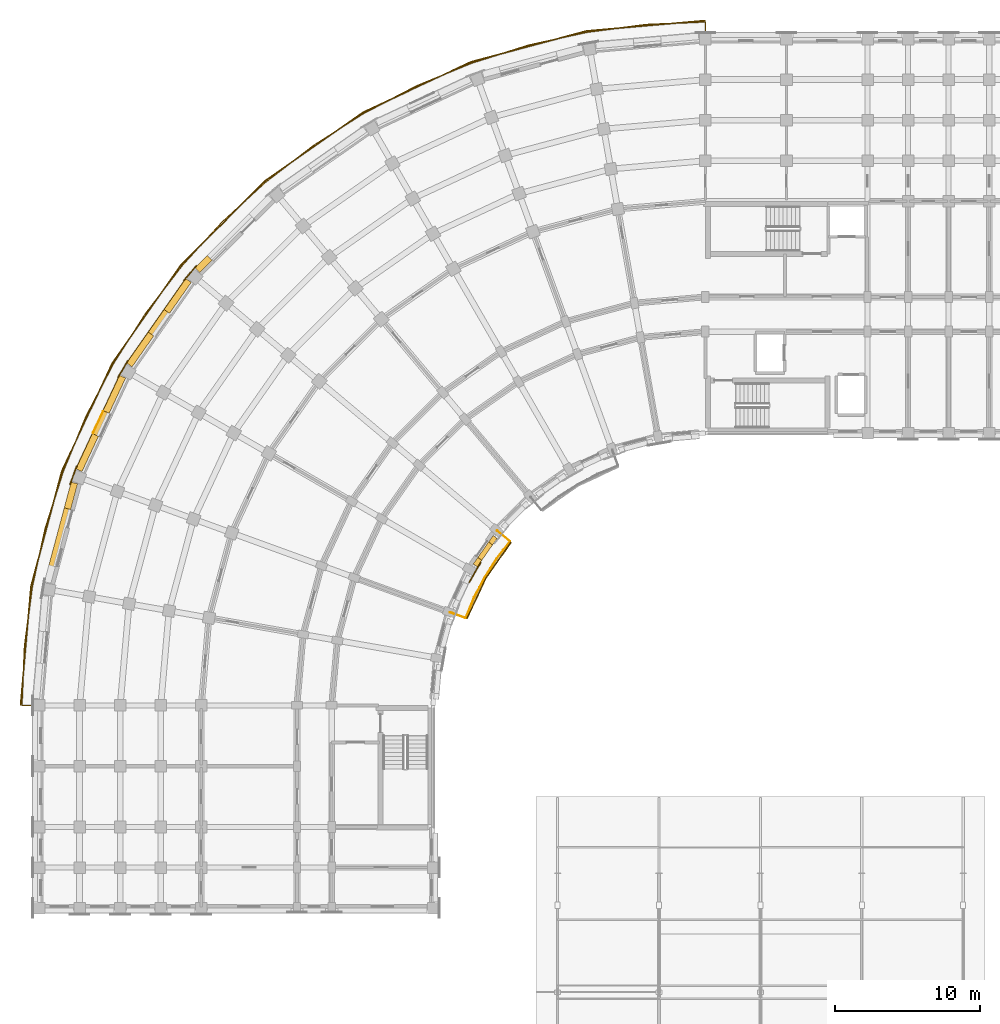
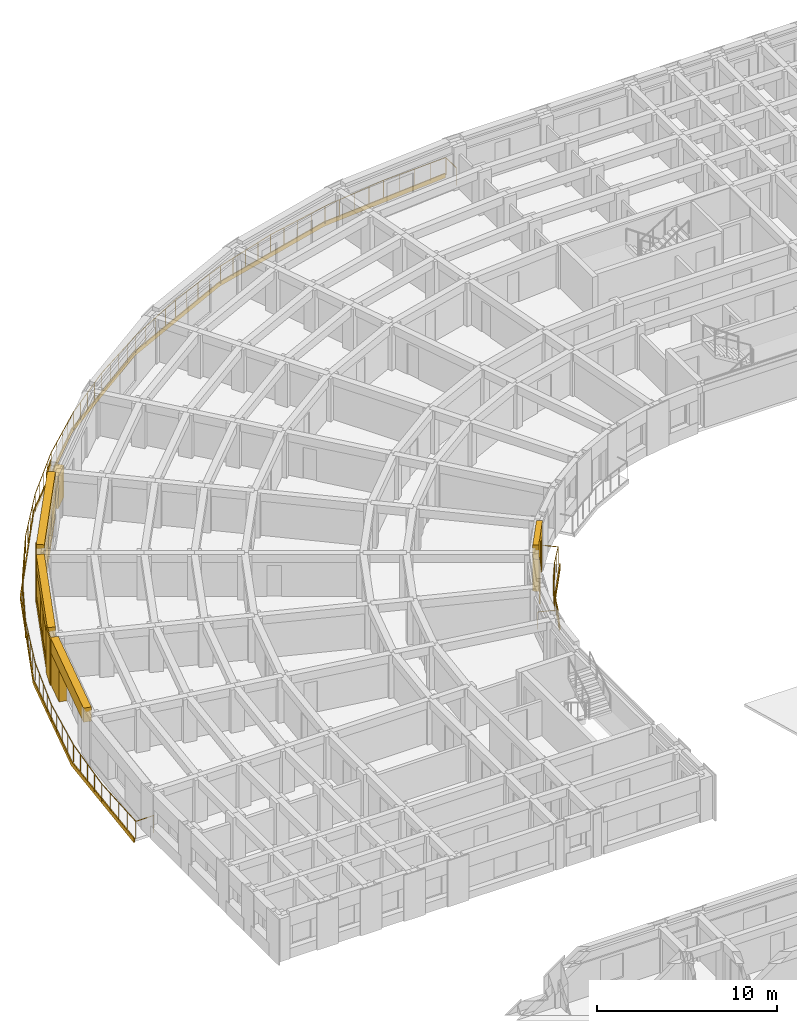
# One storey, part 66 of 76: 20 coverings, 2 railings, 1 shading device.
"""IFC4 building model written with IfcOpenShell, lengths in metres."""

from ifc_helpers import new_model, si_unit, direction, frame, origin, origin_2d, place, context, subcontext, project, spatial, polyline, rectangle, circle, outline, extrude, material, layer, layer_set, type_object, element, save


model = new_model("IFC4")

# Units and contexts
model_context = context("Model", 3, precision=1e-05, world=origin(), true_north=direction((0.0, 1.0)))
body_context = subcontext(model_context, "Body", "Model", "MODEL_VIEW")
ifc_project = project(units=[si_unit("LENGTHUNIT", "METRE"), si_unit("AREAUNIT", "SQUARE_METRE"), si_unit("VOLUMEUNIT", "CUBIC_METRE"), si_unit("PLANEANGLEUNIT", "RADIAN"), si_unit("MASSUNIT", "GRAM", prefix="KILO")], contexts=[model_context])

# Site, building, storey
site_placement = place(None, origin())
site = spatial("IfcSite", under=ifc_project, at=site_placement, CompositionType="ELEMENT")
building_placement = place(site_placement, origin())
building = spatial("IfcBuilding", under=site, at=building_placement, Name="Kiranvali Square Residences", CompositionType="ELEMENT")
storey_placement = place(building_placement, frame((0.0, 0.0, 8.699951171875)))
storey = spatial("IfcBuildingStorey", under=building, at=storey_placement, Name="L02", CompositionType="ELEMENT", Elevation=8.699951171875)

# Coverings
ifc_material_1 = material(Name="Carved Porbandar limestone classical entablature and cornice", Category="masonry")
ifc_layer_1 = layer(ifc_material_1, 0.072021484375)
ifc_layer_set_1 = layer_set([ifc_layer_1], Name="Carved Porbandar limestone classical entablature and cornice")
covering_type_1 = type_object("IfcCoveringType", Name="COV-CLAD-BAL", PredefinedType="CLADDING", material=ifc_layer_set_1)
covering_1_placement = place(storey_placement, frame((0.0, 0.0, -0.239990234375)))
element("IfcCovering", 1, at=covering_1_placement, inside=storey, type_object=covering_type_1, Name="Block A L02 continuous curved limestone balcony fascia", PredefinedType="CLADDING", context=body_context, shape_type="SweptSolid", body=[
    extrude(outline(polyline([(48.199951171875, 135.117919921875), (39.9833984375, 134.399169921875), (32.016357421875, 132.264404296875), (24.541015625, 128.778564453125), (17.78466796875, 124.047607421875), (11.952392578125, 118.21533203125), (7.221435546875, 111.458984375), (3.735595703125, 103.983642578125), (1.600830078125, 96.0166015625), (0.882080078125, 87.800048828125), (0.947998046875, 87.800048828125), (1.665771484375, 96.005126953125), (3.797607421875, 103.961181640625), (7.278564453125, 111.426025390625), (12.0029296875, 118.173095703125), (17.826904296875, 123.9970703125), (24.573974609375, 128.721435546875), (32.038818359375, 132.202392578125), (39.994873046875, 134.334228515625), (48.199951171875, 135.052001953125), (48.199951171875, 135.117919921875)])), origin(), (0.0, 0.0, 1.0), 0.300048828125),
])
ifc_layer_2 = layer(ifc_material_1, 0.06201171875)
ifc_layer_set_2 = layer_set([ifc_layer_2], Name="Carved Porbandar limestone classical entablature and cornice")
covering_type_2 = type_object("IfcCoveringType", Name="COV-CLAD-GBAL", PredefinedType="CLADDING", material=ifc_layer_set_2)
covering_2_placement = place(storey_placement, frame((0.0, 0.0, -0.219970703125)))
element("IfcCovering", 2, at=covering_2_placement, inside=storey, type_object=covering_type_2, Name="Block A L02 garden balcony limestone fascia 2", PredefinedType="CLADDING", context=body_context, shape_type="SweptSolid", body=[
    extrude(outline(polyline([(34.757568359375, 99.07958984375), (33.0029296875, 96.573974609375), (31.710205078125, 93.8017578125), (31.774169921875, 93.778564453125), (33.061767578125, 96.5400390625), (34.8095703125, 99.035888671875), (34.757568359375, 99.07958984375)])), origin(), (0.0, 0.0, 1.0), 0.27001953125),
])
ifc_material_2 = material(Name="Honed Porbandar limestone ashlar facade cladding", Category="masonry")
ifc_layer_3 = layer(ifc_material_2, 0.3798828125)
ifc_layer_set_3 = layer_set([ifc_layer_3], Name="Honed Porbandar limestone ashlar facade cladding")
covering_type_3 = type_object("IfcCoveringType", Name="COV-CLAD-JAMB", PredefinedType="CLADDING", material=ifc_layer_set_3)
covering_3_placement = place(storey_placement, origin())
element("IfcCovering", 3, at=covering_3_placement, inside=storey, type_object=covering_type_3, Name="L02 deep limestone window jamb reveal A-L02-CRV-04.R", PredefinedType="CLADDING", context=body_context, shape_type="SweptSolid", body=[
    extrude(outline(polyline([(13.803955078125, 118.86083984375), (12.954833984375, 118.01171875), (13.27978515625, 117.686767578125), (14.12890625, 118.535888671875), (13.803955078125, 118.86083984375)])), origin(), (0.0, 0.0, 1.0), 2.179931640625),
])
covering_4_placement = place(storey_placement, frame((0.0, 0.0, 0.6220703125)))
element("IfcCovering", 4, at=covering_4_placement, inside=storey, type_object=covering_type_3, Name="L02 deep limestone window jamb reveal A-L02-CRV-05.L", PredefinedType="CLADDING", context=body_context, shape_type="SweptSolid", body=[
    extrude(outline(polyline([(12.3271484375, 117.263427734375), (10.83056640625, 115.126220703125), (11.206787109375, 114.862548828125), (12.703369140625, 117.0), (12.3271484375, 117.263427734375)])), origin(), (0.0, 0.0, 1.0), 1.64990234375),
])
covering_5_placement = place(storey_placement, frame((0.0, 0.0, 0.6220703125)))
element("IfcCovering", 5, at=covering_5_placement, inside=storey, type_object=covering_type_3, Name="L02 deep limestone window jamb reveal A-L02-CRV-05.R", PredefinedType="CLADDING", context=body_context, shape_type="SweptSolid", body=[
    extrude(outline(polyline([(9.74072265625, 113.56982421875), (8.244140625, 111.432373046875), (8.62060546875, 111.1689453125), (10.1171875, 113.30615234375), (9.74072265625, 113.56982421875)])), origin(), (0.0, 0.0, 1.0), 1.64990234375),
])
covering_6_placement = place(storey_placement, frame((0.0, 0.0, 0.52197265625)))
element("IfcCovering", 6, at=covering_6_placement, inside=storey, type_object=covering_type_3, Name="L02 deep limestone window jamb reveal A-L02-CRV-06.L", PredefinedType="CLADDING", context=body_context, shape_type="SweptSolid", body=[
    extrude(outline(polyline([(7.755859375, 110.586669921875), (6.621337890625, 108.15380859375), (7.037841796875, 107.959716796875), (8.172119140625, 110.392333984375), (7.755859375, 110.586669921875)])), origin(), (0.0, 0.0, 1.0), 1.75),
])
covering_7_placement = place(storey_placement, frame((0.0, 0.0, 0.52197265625)))
element("IfcCovering", 7, at=covering_7_placement, inside=storey, type_object=covering_type_3, Name="L02 deep limestone window jamb reveal A-L02-CRV-06.R", PredefinedType="CLADDING", context=body_context, shape_type="SweptSolid", body=[
    extrude(outline(polyline([(5.8818359375, 106.56787109375), (4.747314453125, 104.13525390625), (5.163818359375, 103.94091796875), (6.29833984375, 106.373779296875), (5.8818359375, 106.56787109375)])), origin(), (0.0, 0.0, 1.0), 1.75),
])
covering_8_placement = place(storey_placement, origin())
element("IfcCovering", 8, at=covering_8_placement, inside=storey, type_object=covering_type_3, Name="L02 deep limestone window jamb reveal A-L02-CRV-07.L", PredefinedType="CLADDING", context=body_context, shape_type="SweptSolid", body=[
    extrude(outline(polyline([(4.413330078125, 103.21728515625), (3.936767578125, 101.438720703125), (4.380615234375, 101.31982421875), (4.857177734375, 103.098388671875), (4.413330078125, 103.21728515625)])), origin(), (0.0, 0.0, 1.0), 2.179931640625),
])
covering_9_placement = place(storey_placement, origin())
element("IfcCovering", 9, at=covering_9_placement, inside=storey, type_object=covering_type_3, Name="L02 deep limestone window jamb reveal A-L02-GDN-05.L", PredefinedType="CLADDING", context=body_context, shape_type="SweptSolid", body=[
    extrude(outline(polyline([(33.54638671875, 99.523681640625), (33.231689453125, 99.074462890625), (33.509765625, 98.879638671875), (33.824462890625, 99.328857421875), (33.54638671875, 99.523681640625)])), origin(), (0.0, 0.0, 1.0), 2.179931640625),
])
covering_10_placement = place(storey_placement, origin())
element("IfcCovering", 10, at=covering_10_placement, inside=storey, type_object=covering_type_3, Name="L02 deep limestone window jamb reveal A-L02-GDN-05.R", PredefinedType="CLADDING", context=body_context, shape_type="SweptSolid", body=[
    extrude(outline(polyline([(32.486083984375, 98.009521484375), (32.171630859375, 97.56005859375), (32.44970703125, 97.365478515625), (32.76416015625, 97.814697265625), (32.486083984375, 98.009521484375)])), origin(), (0.0, 0.0, 1.0), 2.179931640625),
])
ifc_layer_4 = layer(ifc_material_2, 0.06494140625)
ifc_layer_set_4 = layer_set([ifc_layer_4], Name="Honed Porbandar limestone ashlar facade cladding")
covering_type_4 = type_object("IfcCoveringType", Name="COV-CLAD-PIER", PredefinedType="CLADDING", material=ifc_layer_set_4)
covering_11_placement = place(storey_placement, frame((0.0, 0.0, 0.005126953125)))
element("IfcCovering", 11, at=covering_11_placement, inside=storey, type_object=covering_type_4, Name="L02 Classical limestone corner pilaster CLAD-PR-A-L02-A05", PredefinedType="CLADDING", context=body_context, shape_type="SweptSolid", body=[
    extrude(outline(polyline([(13.04052734375, 118.18994140625), (12.166259765625, 117.148193359375), (12.218017578125, 117.104736328125), (13.09228515625, 118.146484375), (13.04052734375, 118.18994140625)])), origin(), (0.0, 0.0, 1.0), 3.139892578125),
])
covering_12_placement = place(storey_placement, frame((0.0, 0.0, 0.005126953125)))
element("IfcCovering", 12, at=covering_12_placement, inside=storey, type_object=covering_type_4, Name="L02 Classical limestone corner pilaster CLAD-PR-A-L02-A06", PredefinedType="CLADDING", context=body_context, shape_type="SweptSolid", body=[
    extrude(outline(polyline([(8.297607421875, 111.622802734375), (7.617431640625, 110.445068359375), (7.676025390625, 110.411376953125), (8.35595703125, 111.589111328125), (8.297607421875, 111.622802734375)])), origin(), (0.0, 0.0, 1.0), 3.139892578125),
])
covering_13_placement = place(storey_placement, frame((0.0, 0.0, 0.005126953125)))
element("IfcCovering", 13, at=covering_13_placement, inside=storey, type_object=covering_type_4, Name="L02 Classical limestone corner pilaster CLAD-PR-A-L02-A07", PredefinedType="CLADDING", context=body_context, shape_type="SweptSolid", body=[
    extrude(outline(polyline([(4.766845703125, 104.33203125), (4.3017578125, 103.053955078125), (4.365234375, 103.031005859375), (4.830322265625, 104.308837890625), (4.766845703125, 104.33203125)])), origin(), (0.0, 0.0, 1.0), 3.139892578125),
])
ifc_layer_5 = layer(ifc_material_2, 0.050048828125)
ifc_layer_set_5 = layer_set([ifc_layer_5], Name="Honed Porbandar limestone ashlar facade cladding")
covering_type_5 = type_object("IfcCoveringType", Name="COV-CLAD-PIER-IN", PredefinedType="CLADDING", material=ifc_layer_set_5)
covering_14_placement = place(storey_placement, frame((0.0, 0.0, 0.005126953125)))
element("IfcCovering", 14, at=covering_14_placement, inside=storey, type_object=covering_type_5, Name="L02 Classical garden courtyard pilaster CLAD-PRIN-A-L02-A06", PredefinedType="CLADDING", context=body_context, shape_type="SweptSolid", body=[
    extrude(outline(polyline([(31.924072265625, 96.273193359375), (32.72412109375, 97.658935546875), (32.66552734375, 97.692626953125), (31.865478515625, 96.306884765625), (31.924072265625, 96.273193359375)])), origin(), (0.0, 0.0, 1.0), 3.139892578125),
])
ifc_layer_6 = layer(ifc_material_2, 0.360107421875)
ifc_layer_set_6 = layer_set([ifc_layer_6], Name="Honed Porbandar limestone ashlar facade cladding")
covering_type_6 = type_object("IfcCoveringType", Name="COV-CLAD-WALL", PredefinedType="CLADDING", material=ifc_layer_set_6)
covering_15_placement = place(storey_placement, frame((0.0, 0.0, 2.27197265625)))
element("IfcCovering", 15, at=covering_15_placement, inside=storey, type_object=covering_type_6, Name="L02 light limestone spandrel lintel A-L02-CRV-05", PredefinedType="CLADDING", context=body_context, shape_type="SweptSolid", body=[
    extrude(outline(polyline([(12.3271484375, 117.263427734375), (8.244140625, 111.432373046875), (8.62060546875, 111.1689453125), (12.703369140625, 117.0), (12.3271484375, 117.263427734375)])), origin(), (0.0, 0.0, 1.0), 0.873046875),
])
covering_16_placement = place(storey_placement, frame((0.0, 0.0, 0.005126953125)))
element("IfcCovering", 16, at=covering_16_placement, inside=storey, type_object=covering_type_6, Name="L02 limestone window sill apron A-L02-CRV-05", PredefinedType="CLADDING", context=body_context, shape_type="SweptSolid", body=[
    extrude(outline(polyline([(12.302490234375, 117.28076171875), (8.219482421875, 111.44970703125), (8.62060546875, 111.1689453125), (12.703369140625, 117.0), (12.302490234375, 117.28076171875)])), origin(), (0.0, 0.0, 1.0), 0.616943359375),
])
covering_17_placement = place(storey_placement, frame((0.0, 0.0, 2.27197265625)))
element("IfcCovering", 17, at=covering_17_placement, inside=storey, type_object=covering_type_6, Name="L02 light limestone spandrel lintel A-L02-CRV-06", PredefinedType="CLADDING", context=body_context, shape_type="SweptSolid", body=[
    extrude(outline(polyline([(7.755859375, 110.586669921875), (4.747314453125, 104.13525390625), (5.163818359375, 103.94091796875), (8.172119140625, 110.392333984375), (7.755859375, 110.586669921875)])), origin(), (0.0, 0.0, 1.0), 0.873046875),
])
covering_18_placement = place(storey_placement, frame((0.0, 0.0, 0.005126953125)))
element("IfcCovering", 18, at=covering_18_placement, inside=storey, type_object=covering_type_6, Name="L02 limestone window sill apron A-L02-CRV-06", PredefinedType="CLADDING", context=body_context, shape_type="SweptSolid", body=[
    extrude(outline(polyline([(7.728515625, 110.59912109375), (4.72021484375, 104.14794921875), (5.163818359375, 103.94091796875), (8.172119140625, 110.392333984375), (7.728515625, 110.59912109375)])), origin(), (0.0, 0.0, 1.0), 0.516845703125),
])
covering_19_placement = place(storey_placement, frame((0.0, 0.0, 2.179931640625)))
element("IfcCovering", 19, at=covering_19_placement, inside=storey, type_object=covering_type_6, Name="L02 light limestone spandrel lintel A-L02-CRV-07", PredefinedType="CLADDING", context=body_context, shape_type="SweptSolid", body=[
    extrude(outline(polyline([(4.413330078125, 103.21728515625), (2.571044921875, 96.341552734375), (3.014892578125, 96.22265625), (4.857177734375, 103.098388671875), (4.413330078125, 103.21728515625)])), origin(), (0.0, 0.0, 1.0), 0.965087890625),
])
covering_20_placement = place(storey_placement, frame((0.0, 0.0, 2.179931640625)))
element("IfcCovering", 20, at=covering_20_placement, inside=storey, type_object=covering_type_6, Name="L02 light limestone spandrel lintel A-L02-GDN-05", PredefinedType="CLADDING", context=body_context, shape_type="SweptSolid", body=[
    extrude(outline(polyline([(33.54638671875, 99.523681640625), (32.171630859375, 97.56005859375), (32.44970703125, 97.365478515625), (33.824462890625, 99.328857421875), (33.54638671875, 99.523681640625)])), origin(), (0.0, 0.0, 1.0), 0.965087890625),
])

# Railings
ifc_material_3 = material(Name="Powder-coated architectural bronze balustrade", Category="steel")
railing_type = type_object("IfcRailingType", Name="RL-BAL-GOLD-1200", PredefinedType="BALUSTRADE", material=ifc_material_3)
railing_1_placement = place(storey_placement, frame((48.199951171875, 133.840087890625, 0.0)))
element("IfcRailing", 21, at=railing_1_placement, inside=storey, type_object=railing_type, Name="Block A L02 continuous curved corner gold balustrade", PredefinedType="BALUSTRADE", context=body_context, shape_type="SweptSolid", body=[
    extrude(circle(Radius=0.02392578125, at=origin_2d()), frame((0.0, 0.0, 1.17578125), z_axis=(0.0, 1.0, 0.0), x_axis=(-1.0, 0.0, 0.0)), (0.0, 0.0, 1.0), 1.14990234375),
    extrude(circle(Radius=0.02392578125, at=origin_2d()), frame((0.0, 1.14990234375, 1.17578125), z_axis=(-0.999049544955, -0.043589066576, 0.0), x_axis=(0.043589066576, -0.999049544955, 0.0)), (0.0, 0.0, 1.0), 4.11669921875),
    extrude(circle(Radius=0.02392578125, at=origin_2d()), frame((-4.11279296875, 0.970458984375, 1.17578125), z_axis=(-0.991444603928, -0.1305281477, 0.0), x_axis=(0.1305281477, -0.991444603928, 0.0)), (0.0, 0.0, 1.0), 4.11669921875),
    extrude(circle(Radius=0.02392578125, at=origin_2d()), frame((-8.1943359375, 0.43310546875, 1.17578125), z_axis=(-0.976292989924, -0.216453223181, 0.0), x_axis=(0.216453223181, -0.976292989924, 0.0)), (0.0, 0.0, 1.0), 4.116943359375),
    extrude(circle(Radius=0.02392578125, at=origin_2d()), frame((-12.213623046875, -0.4580078125, 1.17578125), z_axis=(-0.953710744932, -0.300725481131, 0.0), x_axis=(0.300725481131, -0.953710744932, 0.0)), (0.0, 0.0, 1.0), 4.116943359375),
    extrude(circle(Radius=0.02392578125, at=origin_2d()), frame((-16.139892578125, -1.696044921875, 1.17578125), z_axis=(-0.923880226262, -0.382681757498, 0.0), x_axis=(0.382681757498, -0.923880226262, 0.0)), (0.0, 0.0, 1.0), 4.116943359375),
    extrude(circle(Radius=0.02392578125, at=origin_2d()), frame((-19.943359375, -3.271484375, 1.17578125), z_axis=(-0.887013781313, -0.461742949877, 0.0), x_axis=(0.461742949877, -0.887013781313, 0.0)), (0.0, 0.0, 1.0), 4.11669921875),
    extrude(circle(Radius=0.02392578125, at=origin_2d()), frame((-23.594970703125, -5.17236328125, 1.17578125), z_axis=(-0.843402550976, -0.537282176335, 0.0), x_axis=(0.537282176335, -0.843402550976, 0.0)), (0.0, 0.0, 1.0), 4.116943359375),
    extrude(circle(Radius=0.02392578125, at=origin_2d()), frame((-27.067138671875, -7.38427734375, 1.17578125), z_axis=(-0.793339967331, -0.608778856594, 0.0), x_axis=(0.608778856594, -0.793339967331, 0.0)), (0.0, 0.0, 1.0), 4.11669921875),
    extrude(circle(Radius=0.02392578125, at=origin_2d()), frame((-30.3330078125, -9.890380859375, 1.17578125), z_axis=(-0.737299356654, -0.675566176386, 0.0), x_axis=(0.675566176386, -0.737299356654, 0.0)), (0.0, 0.0, 1.0), 4.116943359375),
    extrude(circle(Radius=0.02392578125, at=origin_2d()), frame((-33.368408203125, -12.671630859375, 1.17578125), z_axis=(-0.675566176386, -0.737299356654, 0.0), x_axis=(0.737299356654, -0.675566176386, 0.0)), (0.0, 0.0, 1.0), 4.116943359375),
    extrude(circle(Radius=0.02392578125, at=origin_2d()), frame((-36.149658203125, -15.70703125, 1.17578125), z_axis=(-0.608778856594, -0.793339967331, 0.0), x_axis=(0.793339967331, -0.608778856594, 0.0)), (0.0, 0.0, 1.0), 4.11669921875),
    extrude(circle(Radius=0.02392578125, at=origin_2d()), frame((-38.65576171875, -18.972900390625, 1.17578125), z_axis=(-0.537282176335, -0.843402550976, 0.0), x_axis=(0.843402550976, -0.537282176335, 0.0)), (0.0, 0.0, 1.0), 4.116943359375),
    extrude(circle(Radius=0.02392578125, at=origin_2d()), frame((-40.86767578125, -22.445068359375, 1.17578125), z_axis=(-0.461742949877, -0.887013781313, 0.0), x_axis=(0.887013781313, -0.461742949877, 0.0)), (0.0, 0.0, 1.0), 4.11669921875),
    extrude(circle(Radius=0.02392578125, at=origin_2d()), frame((-42.7685546875, -26.0966796875, 1.17578125), z_axis=(-0.382681757498, -0.923880226262, 0.0), x_axis=(0.923880226262, -0.382681757498, 0.0)), (0.0, 0.0, 1.0), 4.116943359375),
    extrude(circle(Radius=0.02392578125, at=origin_2d()), frame((-44.343994140625, -29.900146484375, 1.17578125), z_axis=(-0.300725481131, -0.953710744932, 0.0), x_axis=(0.953710744932, -0.300725481131, 0.0)), (0.0, 0.0, 1.0), 4.116943359375),
    extrude(circle(Radius=0.02392578125, at=origin_2d()), frame((-45.58203125, -33.826416015625, 1.17578125), z_axis=(-0.216453223181, -0.976292989924, 0.0), x_axis=(0.976292989924, -0.216453223181, 0.0)), (0.0, 0.0, 1.0), 4.116943359375),
    extrude(circle(Radius=0.02392578125, at=origin_2d()), frame((-46.47314453125, -37.845703125, 1.17578125), z_axis=(-0.1305281477, -0.991444603928, 0.0), x_axis=(0.991444603928, -0.1305281477, 0.0)), (0.0, 0.0, 1.0), 4.11669921875),
    extrude(circle(Radius=0.02392578125, at=origin_2d()), frame((-47.010498046875, -41.92724609375, 1.17578125), z_axis=(-0.043589066576, -0.999049544955, 0.0), x_axis=(0.999049544955, -0.043589066576, 0.0)), (0.0, 0.0, 1.0), 4.11669921875),
    extrude(circle(Radius=0.02392578125, at=origin_2d()), frame((-47.18994140625, -46.0400390625, 1.17578125), z_axis=(1.0, 0.0, 0.0), x_axis=(0.0, 1.0, 0.0)), (0.0, 0.0, 1.0), 1.14990234375),
    extrude(circle(Radius=0.02099609375, at=origin_2d()), origin(), (0.0, 0.0, 1.0), 1.15185546875),
    extrude(circle(Radius=0.02099609375, at=origin_2d()), frame((0.0, 1.14990234375, 0.0)), (0.0, 0.0, 1.0), 1.15185546875),
    extrude(circle(Radius=0.02099609375, at=origin_2d()), frame((-1.0283203125, 1.10498046875, 0.0)), (0.0, 0.0, 1.0), 1.15185546875),
    extrude(circle(Radius=0.02099609375, at=origin_2d()), frame((-2.056396484375, 1.06005859375, 0.0)), (0.0, 0.0, 1.0), 1.15185546875),
    extrude(circle(Radius=0.02099609375, at=origin_2d()), frame((-3.08447265625, 1.015380859375, 0.0)), (0.0, 0.0, 1.0), 1.15185546875),
    extrude(circle(Radius=0.02099609375, at=origin_2d()), frame((-4.11279296875, 0.970458984375, 0.0)), (0.0, 0.0, 1.0), 1.15185546875),
    extrude(circle(Radius=0.02099609375, at=origin_2d()), frame((-5.13330078125, 0.836181640625, 0.0)), (0.0, 0.0, 1.0), 1.15185546875),
    extrude(circle(Radius=0.02099609375, at=origin_2d()), frame((-6.153564453125, 0.70166015625, 0.0)), (0.0, 0.0, 1.0), 1.15185546875),
    extrude(circle(Radius=0.02099609375, at=origin_2d()), frame((-7.173828125, 0.5673828125, 0.0)), (0.0, 0.0, 1.0), 1.15185546875),
    extrude(circle(Radius=0.02099609375, at=origin_2d()), frame((-8.1943359375, 0.43310546875, 0.0)), (0.0, 0.0, 1.0), 1.15185546875),
    extrude(circle(Radius=0.02099609375, at=origin_2d()), frame((-9.19921875, 0.21044921875, 0.0)), (0.0, 0.0, 1.0), 1.15185546875),
    extrude(circle(Radius=0.02099609375, at=origin_2d()), frame((-10.2041015625, -0.012451171875, 0.0)), (0.0, 0.0, 1.0), 1.15185546875),
    extrude(circle(Radius=0.02099609375, at=origin_2d()), frame((-11.208740234375, -0.2353515625, 0.0)), (0.0, 0.0, 1.0), 1.15185546875),
    extrude(circle(Radius=0.02099609375, at=origin_2d()), frame((-12.213623046875, -0.4580078125, 0.0)), (0.0, 0.0, 1.0), 1.15185546875),
    extrude(circle(Radius=0.02099609375, at=origin_2d()), frame((-13.1953125, -0.767578125, 0.0)), (0.0, 0.0, 1.0), 1.15185546875),
    extrude(circle(Radius=0.02099609375, at=origin_2d()), frame((-14.1767578125, -1.0771484375, 0.0)), (0.0, 0.0, 1.0), 1.15185546875),
    extrude(circle(Radius=0.02099609375, at=origin_2d()), frame((-15.158203125, -1.386474609375, 0.0)), (0.0, 0.0, 1.0), 1.15185546875),
    extrude(circle(Radius=0.02099609375, at=origin_2d()), frame((-16.139892578125, -1.696044921875, 0.0)), (0.0, 0.0, 1.0), 1.15185546875),
    extrude(circle(Radius=0.02099609375, at=origin_2d()), frame((-17.0908203125, -2.08984375, 0.0)), (0.0, 0.0, 1.0), 1.15185546875),
    extrude(circle(Radius=0.02099609375, at=origin_2d()), frame((-18.04150390625, -2.48388671875, 0.0)), (0.0, 0.0, 1.0), 1.15185546875),
    extrude(circle(Radius=0.02099609375, at=origin_2d()), frame((-18.992431640625, -2.877685546875, 0.0)), (0.0, 0.0, 1.0), 1.15185546875),
    extrude(circle(Radius=0.02099609375, at=origin_2d()), frame((-19.943359375, -3.271484375, 0.0)), (0.0, 0.0, 1.0), 1.15185546875),
    extrude(circle(Radius=0.02099609375, at=origin_2d()), frame((-20.856201171875, -3.74658203125, 0.0)), (0.0, 0.0, 1.0), 1.15185546875),
    extrude(circle(Radius=0.02099609375, at=origin_2d()), frame((-21.76904296875, -4.221923828125, 0.0)), (0.0, 0.0, 1.0), 1.15185546875),
    extrude(circle(Radius=0.02099609375, at=origin_2d()), frame((-22.68212890625, -4.697265625, 0.0)), (0.0, 0.0, 1.0), 1.15185546875),
    extrude(circle(Radius=0.02099609375, at=origin_2d()), frame((-23.594970703125, -5.17236328125, 0.0)), (0.0, 0.0, 1.0), 1.15185546875),
    extrude(circle(Radius=0.02099609375, at=origin_2d()), frame((-24.462890625, -5.725341796875, 0.0)), (0.0, 0.0, 1.0), 1.15185546875),
    extrude(circle(Radius=0.02099609375, at=origin_2d()), frame((-25.3310546875, -6.2783203125, 0.0)), (0.0, 0.0, 1.0), 1.15185546875),
    extrude(circle(Radius=0.02099609375, at=origin_2d()), frame((-26.19921875, -6.831298828125, 0.0)), (0.0, 0.0, 1.0), 1.15185546875),
    extrude(circle(Radius=0.02099609375, at=origin_2d()), frame((-27.067138671875, -7.38427734375, 0.0)), (0.0, 0.0, 1.0), 1.15185546875),
    extrude(circle(Radius=0.02099609375, at=origin_2d()), frame((-27.883544921875, -8.0107421875, 0.0)), (0.0, 0.0, 1.0), 1.15185546875),
    extrude(circle(Radius=0.02099609375, at=origin_2d()), frame((-28.7001953125, -8.63720703125, 0.0)), (0.0, 0.0, 1.0), 1.15185546875),
    extrude(circle(Radius=0.02099609375, at=origin_2d()), frame((-29.5166015625, -9.263916015625, 0.0)), (0.0, 0.0, 1.0), 1.15185546875),
    extrude(circle(Radius=0.02099609375, at=origin_2d()), frame((-30.3330078125, -9.890380859375, 0.0)), (0.0, 0.0, 1.0), 1.15185546875),
    extrude(circle(Radius=0.02099609375, at=origin_2d()), frame((-31.091796875, -10.585693359375, 0.0)), (0.0, 0.0, 1.0), 1.15185546875),
    extrude(circle(Radius=0.02099609375, at=origin_2d()), frame((-31.8505859375, -11.281005859375, 0.0)), (0.0, 0.0, 1.0), 1.15185546875),
    extrude(circle(Radius=0.02099609375, at=origin_2d()), frame((-32.609619140625, -11.976318359375, 0.0)), (0.0, 0.0, 1.0), 1.15185546875),
    extrude(circle(Radius=0.02099609375, at=origin_2d()), frame((-33.368408203125, -12.671630859375, 0.0)), (0.0, 0.0, 1.0), 1.15185546875),
    extrude(circle(Radius=0.02099609375, at=origin_2d()), frame((-34.063720703125, -13.430419921875, 0.0)), (0.0, 0.0, 1.0), 1.15185546875),
    extrude(circle(Radius=0.02099609375, at=origin_2d()), frame((-34.759033203125, -14.189453125, 0.0)), (0.0, 0.0, 1.0), 1.15185546875),
    extrude(circle(Radius=0.02099609375, at=origin_2d()), frame((-35.454345703125, -14.9482421875, 0.0)), (0.0, 0.0, 1.0), 1.15185546875),
    extrude(circle(Radius=0.02099609375, at=origin_2d()), frame((-36.149658203125, -15.70703125, 0.0)), (0.0, 0.0, 1.0), 1.15185546875),
    extrude(circle(Radius=0.02099609375, at=origin_2d()), frame((-36.776123046875, -16.5234375, 0.0)), (0.0, 0.0, 1.0), 1.15185546875),
    extrude(circle(Radius=0.02099609375, at=origin_2d()), frame((-37.40283203125, -17.33984375, 0.0)), (0.0, 0.0, 1.0), 1.15185546875),
    extrude(circle(Radius=0.02099609375, at=origin_2d()), frame((-38.029296875, -18.156494140625, 0.0)), (0.0, 0.0, 1.0), 1.15185546875),
    extrude(circle(Radius=0.02099609375, at=origin_2d()), frame((-38.65576171875, -18.972900390625, 0.0)), (0.0, 0.0, 1.0), 1.15185546875),
    extrude(circle(Radius=0.02099609375, at=origin_2d()), frame((-39.208740234375, -19.8408203125, 0.0)), (0.0, 0.0, 1.0), 1.15185546875),
    extrude(circle(Radius=0.02099609375, at=origin_2d()), frame((-39.76171875, -20.708984375, 0.0)), (0.0, 0.0, 1.0), 1.15185546875),
    extrude(circle(Radius=0.02099609375, at=origin_2d()), frame((-40.314697265625, -21.5771484375, 0.0)), (0.0, 0.0, 1.0), 1.15185546875),
    extrude(circle(Radius=0.02099609375, at=origin_2d()), frame((-40.86767578125, -22.445068359375, 0.0)), (0.0, 0.0, 1.0), 1.15185546875),
    extrude(circle(Radius=0.02099609375, at=origin_2d()), frame((-41.3427734375, -23.35791015625, 0.0)), (0.0, 0.0, 1.0), 1.15185546875),
    extrude(circle(Radius=0.02099609375, at=origin_2d()), frame((-41.818115234375, -24.27099609375, 0.0)), (0.0, 0.0, 1.0), 1.15185546875),
    extrude(circle(Radius=0.02099609375, at=origin_2d()), frame((-42.29345703125, -25.183837890625, 0.0)), (0.0, 0.0, 1.0), 1.15185546875),
    extrude(circle(Radius=0.02099609375, at=origin_2d()), frame((-42.7685546875, -26.0966796875, 0.0)), (0.0, 0.0, 1.0), 1.15185546875),
    extrude(circle(Radius=0.02099609375, at=origin_2d()), frame((-43.162353515625, -27.047607421875, 0.0)), (0.0, 0.0, 1.0), 1.15185546875),
    extrude(circle(Radius=0.02099609375, at=origin_2d()), frame((-43.55615234375, -27.99853515625, 0.0)), (0.0, 0.0, 1.0), 1.15185546875),
    extrude(circle(Radius=0.02099609375, at=origin_2d()), frame((-43.9501953125, -28.94921875, 0.0)), (0.0, 0.0, 1.0), 1.15185546875),
    extrude(circle(Radius=0.02099609375, at=origin_2d()), frame((-44.343994140625, -29.900146484375, 0.0)), (0.0, 0.0, 1.0), 1.15185546875),
    extrude(circle(Radius=0.02099609375, at=origin_2d()), frame((-44.653564453125, -30.8818359375, 0.0)), (0.0, 0.0, 1.0), 1.15185546875),
    extrude(circle(Radius=0.02099609375, at=origin_2d()), frame((-44.962890625, -31.86328125, 0.0)), (0.0, 0.0, 1.0), 1.15185546875),
    extrude(circle(Radius=0.02099609375, at=origin_2d()), frame((-45.2724609375, -32.8447265625, 0.0)), (0.0, 0.0, 1.0), 1.15185546875),
    extrude(circle(Radius=0.02099609375, at=origin_2d()), frame((-45.58203125, -33.826416015625, 0.0)), (0.0, 0.0, 1.0), 1.15185546875),
    extrude(circle(Radius=0.02099609375, at=origin_2d()), frame((-45.8046875, -34.831298828125, 0.0)), (0.0, 0.0, 1.0), 1.15185546875),
    extrude(circle(Radius=0.02099609375, at=origin_2d()), frame((-46.027587890625, -35.8359375, 0.0)), (0.0, 0.0, 1.0), 1.15185546875),
    extrude(circle(Radius=0.02099609375, at=origin_2d()), frame((-46.25048828125, -36.8408203125, 0.0)), (0.0, 0.0, 1.0), 1.15185546875),
    extrude(circle(Radius=0.02099609375, at=origin_2d()), frame((-46.47314453125, -37.845703125, 0.0)), (0.0, 0.0, 1.0), 1.15185546875),
    extrude(circle(Radius=0.02099609375, at=origin_2d()), frame((-46.607421875, -38.8662109375, 0.0)), (0.0, 0.0, 1.0), 1.15185546875),
    extrude(circle(Radius=0.02099609375, at=origin_2d()), frame((-46.74169921875, -39.886474609375, 0.0)), (0.0, 0.0, 1.0), 1.15185546875),
    extrude(circle(Radius=0.02099609375, at=origin_2d()), frame((-46.876220703125, -40.90673828125, 0.0)), (0.0, 0.0, 1.0), 1.15185546875),
    extrude(circle(Radius=0.02099609375, at=origin_2d()), frame((-47.010498046875, -41.92724609375, 0.0)), (0.0, 0.0, 1.0), 1.15185546875),
    extrude(circle(Radius=0.02099609375, at=origin_2d()), frame((-47.055419921875, -42.95556640625, 0.0)), (0.0, 0.0, 1.0), 1.15185546875),
    extrude(circle(Radius=0.02099609375, at=origin_2d()), frame((-47.10009765625, -43.983642578125, 0.0)), (0.0, 0.0, 1.0), 1.15185546875),
    extrude(circle(Radius=0.02099609375, at=origin_2d()), frame((-47.14501953125, -45.01171875, 0.0)), (0.0, 0.0, 1.0), 1.15185546875),
    extrude(circle(Radius=0.02099609375, at=origin_2d()), frame((-47.18994140625, -46.0400390625, 0.0)), (0.0, 0.0, 1.0), 1.15185546875),
    extrude(circle(Radius=0.02099609375, at=origin_2d()), frame((-46.0400390625, -46.0400390625, 0.0)), (0.0, 0.0, 1.0), 1.15185546875),
])
railing_2_placement = place(storey_placement, frame((33.8291015625, 99.858642578125, 0.0)))
element("IfcRailing", 22, at=railing_2_placement, inside=storey, type_object=railing_type, Name="Block A L02 garden balcony gold balustrade 2", PredefinedType="BALUSTRADE", context=body_context, shape_type="SweptSolid", body=[
    extrude(circle(Radius=0.02392578125, at=origin_2d()), frame((0.0, 0.0, 1.17578125), z_axis=(0.765989188314, -0.642853454051, 0.0), x_axis=(0.642853454051, 0.765989188314, 0.0)), (0.0, 0.0, 1.0), 1.14990234375),
    extrude(circle(Radius=0.02392578125, at=origin_2d()), frame((0.880859375, -0.7392578125, 1.17578125), z_axis=(-0.608811807471, -0.793314680996, 0.0), x_axis=(0.793314680996, -0.608811807471, 0.0)), (0.0, 0.0, 1.0), 1.536376953125),
    extrude(circle(Radius=0.02392578125, at=origin_2d()), frame((-0.054443359375, -1.9580078125, 1.17578125), z_axis=(-0.537307309343, -0.843386539688, 0.0), x_axis=(0.843386539688, -0.537307309343, 0.0)), (0.0, 0.0, 1.0), 1.5361328125),
    extrude(circle(Radius=0.02392578125, at=origin_2d()), frame((-0.8798828125, -3.253662109375, 1.17578125), z_axis=(-0.461713009976, -0.887029366154, 0.0), x_axis=(0.887029366154, -0.461713009976, 0.0)), (0.0, 0.0, 1.0), 1.5361328125),
    extrude(circle(Radius=0.02392578125, at=origin_2d()), frame((-1.589111328125, -4.6162109375, 1.17578125), z_axis=(-0.382651197843, -0.923892883829, 0.0), x_axis=(0.923892883829, -0.382651197843, 0.0)), (0.0, 0.0, 1.0), 1.536376953125),
    extrude(circle(Radius=0.02392578125, at=origin_2d()), frame((-2.177001953125, -6.03564453125, 1.17578125), z_axis=(-0.939712828289, 0.341964618562, 0.0), x_axis=(-0.341964618562, -0.939712828289, 0.0)), (0.0, 0.0, 1.0), 1.150146484375),
    extrude(circle(Radius=0.02099609375, at=origin_2d()), origin(), (0.0, 0.0, 1.0), 1.15185546875),
    extrude(circle(Radius=0.02099609375, at=origin_2d()), frame((0.880859375, -0.7392578125, 0.0)), (0.0, 0.0, 1.0), 1.15185546875),
    extrude(circle(Radius=0.02099609375, at=origin_2d()), frame((0.4130859375, -1.3486328125, 0.0)), (0.0, 0.0, 1.0), 1.15185546875),
    extrude(circle(Radius=0.02099609375, at=origin_2d()), frame((-0.054443359375, -1.9580078125, 0.0)), (0.0, 0.0, 1.0), 1.15185546875),
    extrude(circle(Radius=0.02099609375, at=origin_2d()), frame((-0.46728515625, -2.60595703125, 0.0)), (0.0, 0.0, 1.0), 1.15185546875),
    extrude(circle(Radius=0.02099609375, at=origin_2d()), frame((-0.8798828125, -3.253662109375, 0.0)), (0.0, 0.0, 1.0), 1.15185546875),
    extrude(circle(Radius=0.02099609375, at=origin_2d()), frame((-1.234375, -3.93505859375, 0.0)), (0.0, 0.0, 1.0), 1.15185546875),
    extrude(circle(Radius=0.02099609375, at=origin_2d()), frame((-1.589111328125, -4.6162109375, 0.0)), (0.0, 0.0, 1.0), 1.15185546875),
    extrude(circle(Radius=0.02099609375, at=origin_2d()), frame((-1.883056640625, -5.325927734375, 0.0)), (0.0, 0.0, 1.0), 1.15185546875),
    extrude(circle(Radius=0.02099609375, at=origin_2d()), frame((-2.177001953125, -6.03564453125, 0.0)), (0.0, 0.0, 1.0), 1.15185546875),
    extrude(circle(Radius=0.02099609375, at=origin_2d()), frame((-3.2578125, -5.642333984375, 0.0)), (0.0, 0.0, 1.0), 1.15185546875),
])

# Shading device
ifc_material_4 = material(Name="Pierced buff sandstone architectural mashrabiya solar screen", Category="masonry")
shading_device_type = type_object("IfcShadingDeviceType", Name="SHD-JALI-1800", PredefinedType="JALOUSIE", material=ifc_material_4)
shading_device_placement = place(storey_placement, frame((6.269775390625, 107.3525390625, 0.52197265625), z_axis=(0.0, 0.0, 1.0), x_axis=(-0.422618261741, -0.906307787037, 0.0)))
element("IfcShadingDevice", 23, at=shading_device_placement, inside=storey, type_object=shading_device_type, Name="L02 carved stone Mashrabiya screen A-L02-CRV-06", PredefinedType="JALOUSIE", context=body_context, shape_type="SweptSolid", body=[
    extrude(rectangle(XDim=1.64990234375, YDim=0.044921875, at=origin_2d()), origin(), (0.0, 0.0, 1.0), 1.75),
])

save(model, "model.ifc")
